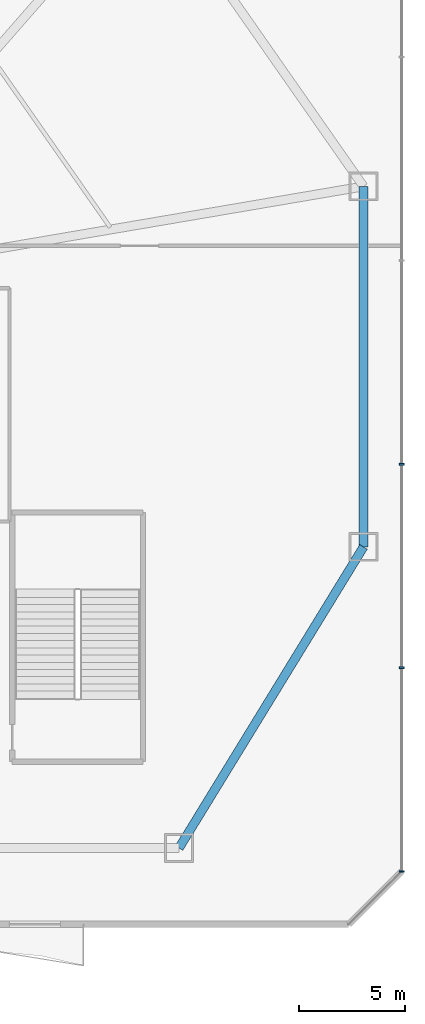
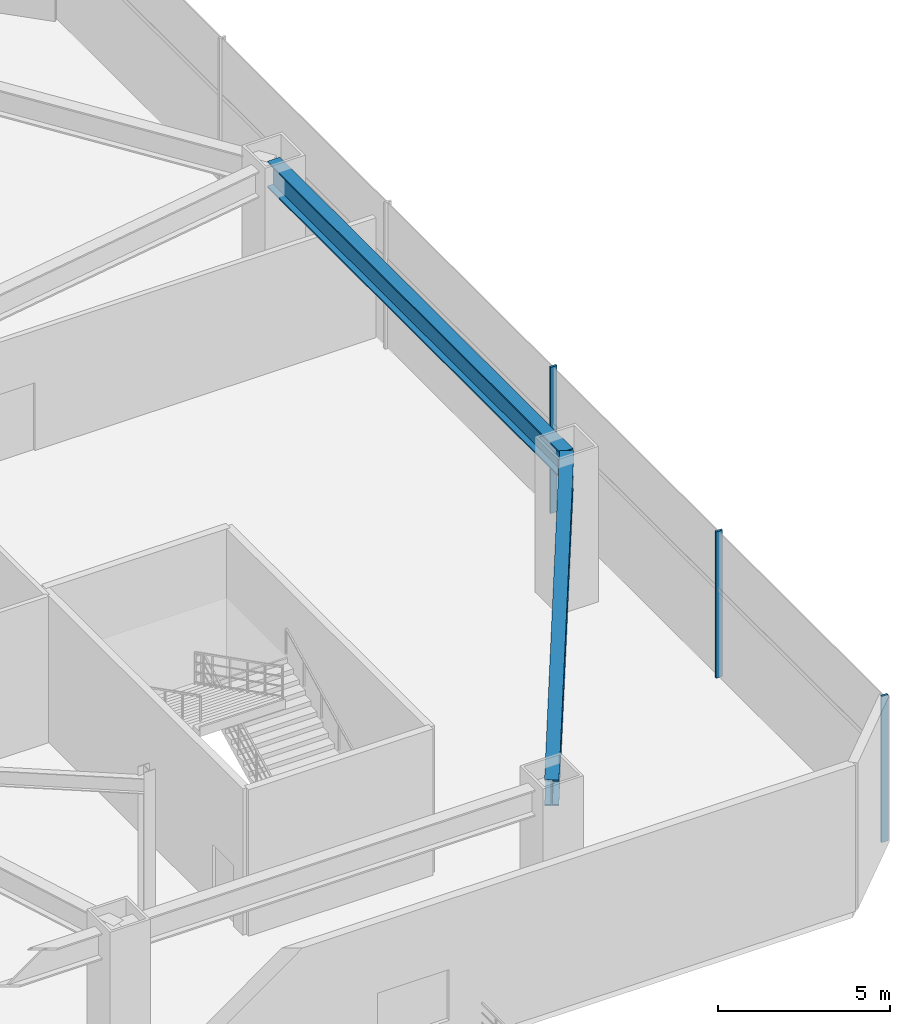
# One storey, part 9 of 20: 3 members, 2 beams, 1 element without a shape of its own.
"""IFC4 building model written with IfcOpenShell, lengths in metres."""

from ifc_helpers import new_model, si_unit, direction, frame, origin, origin_2d, place, context, subcontext, project, spatial, rectangle, i_section, extrude, source, transform, mapped, material, layer, layer_set, material_profile, profile_set, type_object, type_shapes, element, aggregate, save


model = new_model("IFC4")

# Units and contexts
model_context = context("Model", 3, precision=1e-05, world=origin(), true_north=direction((0.0, 1.0)))
body_context = subcontext(model_context, "Body", "Model", "MODEL_VIEW")
ifc_project = project(units=[si_unit("LENGTHUNIT", "METRE"), si_unit("AREAUNIT", "SQUARE_METRE"), si_unit("VOLUMEUNIT", "CUBIC_METRE"), si_unit("PLANEANGLEUNIT", "RADIAN"), si_unit("MASSUNIT", "GRAM", prefix="KILO")], contexts=[model_context])

# Site, building, storey
site_placement = place(None, origin())
site = spatial("IfcSite", under=ifc_project, at=site_placement, CompositionType="ELEMENT")
building_placement = place(site_placement, origin())
building = spatial("IfcBuilding", under=site, at=building_placement, Name="Varakhsha Concourse Tower", CompositionType="ELEMENT")
storey_placement = place(building_placement, frame((0.0, 0.0, 11.0)))
storey = spatial("IfcBuildingStorey", under=building, at=storey_placement, Name="L03", CompositionType="ELEMENT", Elevation=11.0)

# Beams
ifc_material_1 = material(Name="Structural Steel ASTM A992 Grade 50", Category="steel")
ifc_material_profile_1 = material_profile(ifc_material_1, i_section(OverallWidth=0.41796875, OverallDepth=0.927001953125, WebThickness=0.030029296875, FlangeThickness=0.051025390625, at=origin_2d()), Name="W36X231")
ifc_profile_set_1 = profile_set([ifc_material_profile_1], Name="Structural Steel ASTM A992 Grade 50")
beam_type = type_object("IfcBeamType", Name="BM-HALL-W36X231", PredefinedType="USERDEFINED", material=ifc_profile_set_1)
beam_1_placement = place(storey_placement, frame((66.5, 4.60009765625, 4.716552734375), z_axis=(0.522420415639, 0.852688049244, 0.0), x_axis=(-0.852688049244, 0.522420415639, 0.0)))
element("IfcBeam", 1, at=beam_1_placement, inside=storey, type_object=beam_type, Name="BM-PRING-L03-04", ObjectType="GIRDER", PredefinedType="USERDEFINED", context=body_context, shape_type="SweptSolid", body=[
    extrude(i_section(OverallWidth=0.41796875, OverallDepth=0.927001953125, WebThickness=0.030029296875, FlangeThickness=0.051025390625, at=origin_2d()), origin(), (0.0, 0.0, 1.0), 16.653076171875),
])
beam_2_placement = place(storey_placement, frame((75.199951171875, 18.800048828125, 4.716552734375), z_axis=(0.0, 1.0, 0.0), x_axis=(-1.0, 0.0, 0.0)))
element("IfcBeam", 2, at=beam_2_placement, inside=storey, type_object=beam_type, Name="BM-PRING-L03-05", ObjectType="GIRDER", PredefinedType="USERDEFINED", context=body_context, shape_type="SweptSolid", body=[
    extrude(i_section(OverallWidth=0.41796875, OverallDepth=0.927001953125, WebThickness=0.030029296875, FlangeThickness=0.051025390625, at=origin_2d()), origin(), (0.0, 0.0, 1.0), 17.0),
])

# Curtain wall, members
ifc_material_2 = material(Name="Anodised Bronze Architectural Aluminium AA 6063-T6", Category="aluminium")
ifc_layer = layer(ifc_material_2, 0.239990234375, Name="CW-SYS-01")
ifc_layer_set = layer_set([ifc_layer], Name="Anodised Bronze Architectural Aluminium AA 6063-T6")
curtain_wall_type = type_object("IfcCurtainWallType", Name="CW-SYS-01", PredefinedType="NOTDEFINED", material=ifc_layer_set)
curtain_wall_placement = place(storey_placement, origin())
curtain_wall = element("IfcCurtainWall", 3, at=curtain_wall_placement, inside=storey, type_object=curtain_wall_type, Name="L03 Podium Curtain Wall 03", PredefinedType="NOTDEFINED")
ifc_material_profile_2 = material_profile(ifc_material_2, rectangle(XDim=0.074951171875, YDim=0.219970703125, at=origin_2d()), Name="CWM-220X75")
ifc_profile_set_2 = profile_set([ifc_material_profile_2], Name="Anodised Bronze Architectural Aluminium AA 6063-T6")
member_type = type_object("IfcMemberType", Name="CWM-220X75", PredefinedType="MULLION", material=ifc_profile_set_2)
shared_shape = source(origin(), body_context, "Body", "SweptSolid", [
    extrude(rectangle(XDim=0.074951171875, YDim=0.219970703125, at=origin_2d()), origin(), (0.0, 0.0, 1.0), 5.179931640625),
])
type_shapes(member_type, [shared_shape])
member_1_placement = place(storey_placement, frame((77.0, 3.5, 0.0), z_axis=(0.0, 0.0, 1.0), x_axis=(0.0, 1.0, 0.0)))
member_1 = element("IfcMember", 4, at=member_1_placement, type_object=member_type, Name="CW-POD-L03-03 Mullion 00", PredefinedType="MULLION", context=body_context, shape_type="MappedRepresentation", body=[
    mapped(shared_shape, transform((0.0, 0.0, 0.0), scale=1.0)),
])
member_2_placement = place(storey_placement, frame((77.0, 13.10009765625, 0.0), z_axis=(0.0, 0.0, 1.0), x_axis=(0.0, 1.0, 0.0)))
member_2 = element("IfcMember", 5, at=member_2_placement, type_object=member_type, Name="CW-POD-L03-03 Mullion 01", PredefinedType="MULLION", context=body_context, shape_type="MappedRepresentation", body=[
    mapped(shared_shape, transform((0.0, 0.0, 0.0), scale=1.0)),
])
member_3_placement = place(storey_placement, frame((77.0, 22.699951171875, 0.0), z_axis=(0.0, 0.0, 1.0), x_axis=(0.0, 1.0, 0.0)))
member_3 = element("IfcMember", 6, at=member_3_placement, type_object=member_type, Name="CW-POD-L03-03 Mullion 02", PredefinedType="MULLION", context=body_context, shape_type="MappedRepresentation", body=[
    mapped(shared_shape, transform((0.0, 0.0, 0.0), scale=1.0)),
])
aggregate(curtain_wall, [member_1, member_2, member_3])

save(model, "model.ifc")
